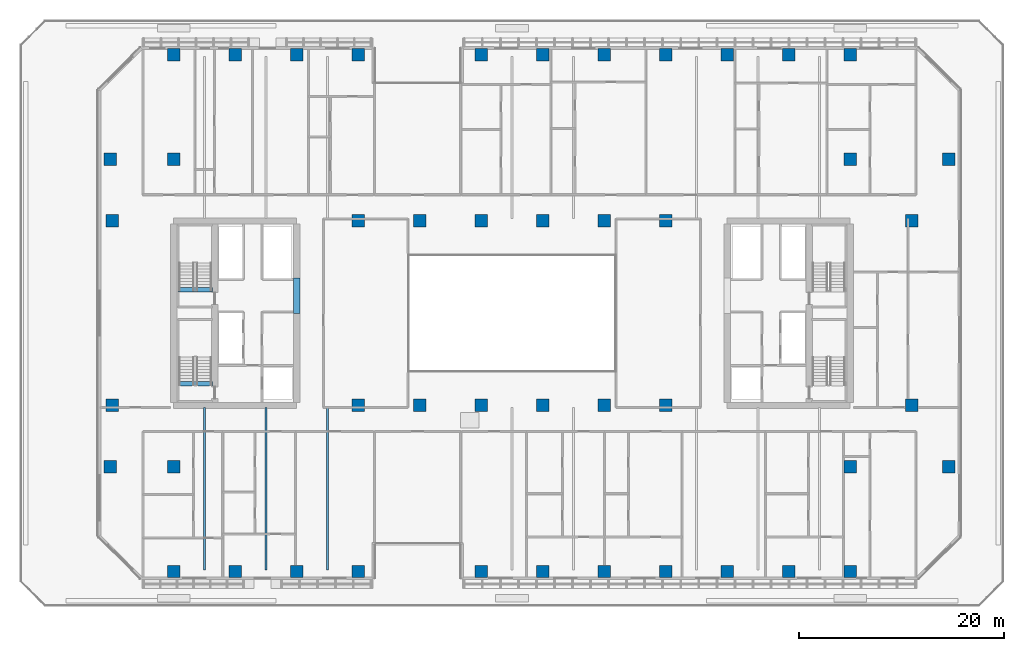
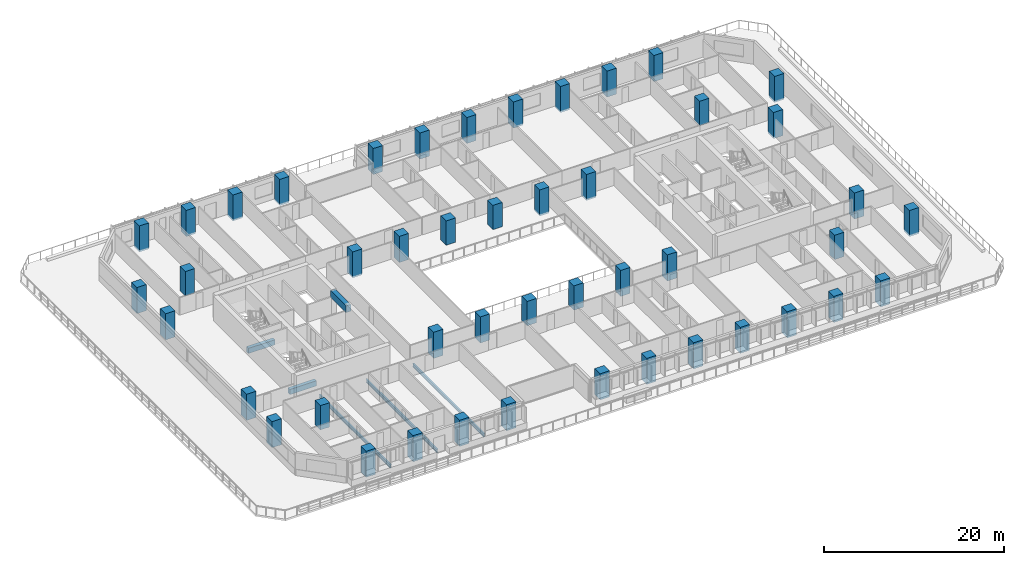
# One storey, part 1 of 23: 46 columns, 6 beams.
"""IFC4 building model written with IfcOpenShell, lengths in metres."""

import ifcopenshell
import ifcopenshell.guid

model = None  # the IFC model being written
_history = None  # IfcOwnerHistory: only IFC2X3 demands one
_inside = {}  # id of a spatial element -> (the spatial element, [elements in it])
_under = {}  # id of a project, library or spatial element -> (it, [spatial elements below it])
_declared = {}  # id of a project -> (the project, [libraries it declares])
_typed = {}  # id of a type object -> (the type object, [elements of that type])
_made_of = {}  # id of a material, layer set ... -> (it, [elements and type objects made of it])


def new_model(schema):
    """Start an empty IFC model of exactly this schema.

    Asked for "IFC4X3", IfcOpenShell would pick the latest addendum, in which some entities
    have other attributes; the version numbers below select the first issue.
    IFC2X3 requires an IfcOwnerHistory on every rooted entity: one is made here for all.
    """
    global model, _history
    if schema == "IFC4X3":
        model = ifcopenshell.file(schema_version=(4, 3, 0, 0))
    else:
        model = ifcopenshell.file(schema=schema)
    _inside.clear()
    _under.clear()
    _declared.clear()
    _typed.clear()
    _made_of.clear()
    _history = None
    if model.schema == "IFC2X3":
        org = make("IfcOrganization", Name="unknown")
        user = make(
            "IfcPersonAndOrganization",
            ThePerson=make("IfcPerson", FamilyName="unknown"),
            TheOrganization=org,
        )
        app = make(
            "IfcApplication",
            ApplicationDeveloper=org,
            Version="unknown",
            ApplicationFullName="unknown",
            ApplicationIdentifier="unknown",
        )
        _history = make(
            "IfcOwnerHistory",
            OwningUser=user,
            OwningApplication=app,
            ChangeAction="ADDED",
            CreationDate=0,
        )
    return model


def make(cls, **values):
    """One entity of the class cls with the attributes given. An attribute that is None is left unset."""
    return model.create_entity(
        cls, **{name: value for name, value in values.items() if value is not None}
    )


def rooted(cls, **values):
    """An entity with a GlobalId (a new one), such as an element, a storey or a relation."""
    return make(cls, GlobalId=ifcopenshell.guid.new(), OwnerHistory=_history, **values)


def si_unit(unit_type, name, prefix=None):
    """IfcSIUnit, for example si_unit("LENGTHUNIT", "METRE", prefix="MILLI")."""
    return make("IfcSIUnit", UnitType=unit_type, Prefix=prefix, Name=name)


def assignment(units):
    """IfcUnitAssignment: the units of a project."""
    return None if units is None else make("IfcUnitAssignment", Units=units)


def point(xyz):
    """IfcCartesianPoint."""
    return None if xyz is None else make("IfcCartesianPoint", Coordinates=xyz)


def direction(xyz):
    """IfcDirection."""
    return None if xyz is None else make("IfcDirection", DirectionRatios=xyz)


def frame(location, z_axis=None, x_axis=None):
    """IfcAxis2Placement3D, a coordinate frame: its origin and axes. An axis left out is left unset."""
    return make(
        "IfcAxis2Placement3D",
        Location=point(location),
        Axis=direction(z_axis),
        RefDirection=direction(x_axis),
    )


def frame_2d(location, x_axis=None):
    """IfcAxis2Placement2D, a coordinate frame in the plane: its origin and x axis."""
    return make(
        "IfcAxis2Placement2D", Location=point(location), RefDirection=direction(x_axis)
    )


def origin():
    """The frame at (0, 0, 0) with its axes left unset."""
    return frame((0.0, 0.0, 0.0))


def origin_2d():
    """The frame at (0, 0) in the plane with its x axis left unset."""
    return frame_2d((0.0, 0.0))


def place(relative_to, where):
    """IfcLocalPlacement: puts the frame where relative to a parent placement (None: the world)."""
    return make(
        "IfcLocalPlacement", PlacementRelTo=relative_to, RelativePlacement=where
    )


def context(
    kind, dimensions, precision=None, world=None, true_north=None, identifier=None
):
    """IfcGeometricRepresentationContext, for example the 3D "Model" context."""
    return make(
        "IfcGeometricRepresentationContext",
        ContextIdentifier=identifier,
        ContextType=kind,
        CoordinateSpaceDimension=dimensions,
        Precision=precision,
        WorldCoordinateSystem=world,
        TrueNorth=true_north,
    )


def subcontext(parent, identifier, kind, view, scale=None):
    """IfcGeometricRepresentationSubContext, for example "Body" below "Model"."""
    return make(
        "IfcGeometricRepresentationSubContext",
        ContextIdentifier=identifier,
        ContextType=kind,
        ParentContext=parent,
        TargetScale=scale,
        TargetView=view,
    )


def project(units=None, contexts=None):
    """IfcProject with its units and contexts."""
    return rooted(
        "IfcProject",
        Name="project",
        RepresentationContexts=contexts,
        UnitsInContext=assignment(units),
    )


def spatial(cls, under=None, at=None, **own):
    """A site, building, storey or space (cls), placed at a placement, below another one or the project."""
    s = rooted(cls, ObjectPlacement=at, **own)
    if under is not None:
        _under.setdefault(under.id(), (under, []))[1].append(s)
    return s


def profile(cls, at=None, kind="AREA", **sizes):
    """A parametric profile (cls). Its sizes go by their IFC names, for example OverallWidth=200.0."""
    return make(cls, ProfileType=kind, Position=at, **sizes)


def rectangle(**sizes):
    """IfcRectangleProfileDef."""
    return profile("IfcRectangleProfileDef", **sizes)


def i_section(**sizes):
    """IfcIShapeProfileDef."""
    return profile("IfcIShapeProfileDef", **sizes)


def extrude(swept, where, along, depth):
    """IfcExtrudedAreaSolid: the profile swept, set in the frame where, extruded along a direction by depth."""
    return make(
        "IfcExtrudedAreaSolid",
        SweptArea=swept,
        Position=where,
        ExtrudedDirection=direction(along),
        Depth=depth,
    )


def shape(context_of_items, identifier, shape_type, items):
    """IfcShapeRepresentation: the items that make up one representation, for example the "Body"."""
    return make(
        "IfcShapeRepresentation",
        ContextOfItems=context_of_items,
        RepresentationIdentifier=identifier,
        RepresentationType=shape_type,
        Items=items,
    )


def material(Name=None, Category=None):
    """IfcMaterial."""
    return make("IfcMaterial", Name=Name, Category=Category)


def material_profile(
    of_material, cross_section, Name=None, Category=None, Priority=None
):
    """IfcMaterialProfile: a cross section and its material."""
    return make(
        "IfcMaterialProfile",
        Name=Name,
        Material=of_material,
        Profile=cross_section,
        Priority=Priority,
        Category=Category,
    )


def profile_set(profiles, Name=None, composite=None):
    """IfcMaterialProfileSet."""
    return make(
        "IfcMaterialProfileSet",
        Name=Name,
        MaterialProfiles=profiles,
        CompositeProfile=composite,
    )


def made_of(thing, what):
    """Note that an element or type object is made of a material, layer set ...; save() writes the relation."""
    if what is not None:
        _made_of.setdefault(what.id(), (what, []))[1].append(thing)
    return thing


def type_object(cls, material=None, **own):
    """A type object (cls), such as IfcWallType, which elements share."""
    return made_of(rooted(cls, **own), material)


def element(
    cls,
    number,
    at=None,
    inside=None,
    cuts=None,
    type_object=None,
    material=None,
    context=None,
    identifier="Body",
    shape_type=None,
    held_by="IfcProductDefinitionShape",
    body=None,
    shapes=None,
    **own,
):
    """One element of the class cls, such as IfcWall. Its Tag is "e" and its number.

    at: its placement. inside: the storey or other place that contains it. cuts: it is an
    opening in that element (IfcRelVoidsElement). A single representation is given by context,
    identifier, shape_type and body (its items); several are given by shapes. held_by: the class
    of the entity that holds the representations. save() writes the other relations.
    """
    e = rooted(cls, Tag="e%d" % number, ObjectPlacement=at, **own)
    if body is not None:
        shapes = [shape(context, identifier, shape_type, body)]
    if shapes is not None:
        e.Representation = make(held_by, Representations=shapes)
    if inside is not None:
        _inside.setdefault(inside.id(), (inside, []))[1].append(e)
    if cuts is not None:
        rooted(
            "IfcRelVoidsElement", RelatingBuildingElement=cuts, RelatedOpeningElement=e
        )
    if type_object is not None:
        _typed.setdefault(type_object.id(), (type_object, []))[1].append(e)
    return made_of(e, material)


def aggregate(whole, parts):
    """IfcRelAggregates: a whole, such as a stair, and the parts it consists of."""
    return rooted("IfcRelAggregates", RelatingObject=whole, RelatedObjects=parts)


def save(model, path):
    """Write the relations noted so far, then the file.

    IfcRelAggregates (storeys below a building ...), IfcRelContainedInSpatialStructure (elements
    in a storey), IfcRelDefinesByType, IfcRelAssociatesMaterial and IfcRelDeclares: one each for
    every whole, place, type object, material and project.
    """
    for whole, parts in _under.values():
        aggregate(whole, parts)
    for where, things in _inside.values():
        rooted(
            "IfcRelContainedInSpatialStructure",
            RelatedElements=things,
            RelatingStructure=where,
        )
    for kind, things in _typed.values():
        rooted("IfcRelDefinesByType", RelatedObjects=things, RelatingType=kind)
    for what, things in _made_of.values():
        rooted("IfcRelAssociatesMaterial", RelatedObjects=things, RelatingMaterial=what)
    for by, libraries in _declared.values():
        rooted("IfcRelDeclares", RelatingContext=by, RelatedDefinitions=libraries)
    model.write(path)


model = new_model("IFC4")

# Units and contexts
model_context = context("Model", 3, precision=1e-05, world=origin(), true_north=direction((0.0, 1.0)))
body_context = subcontext(model_context, "Body", "Model", "MODEL_VIEW")
ifc_project = project(units=[si_unit("LENGTHUNIT", "METRE"), si_unit("AREAUNIT", "SQUARE_METRE"), si_unit("VOLUMEUNIT", "CUBIC_METRE"), si_unit("PLANEANGLEUNIT", "RADIAN"), si_unit("MASSUNIT", "GRAM", prefix="KILO")], contexts=[model_context])

# Site, building, storey
site_placement = place(None, origin())
site = spatial("IfcSite", under=ifc_project, at=site_placement, CompositionType="ELEMENT")
building_placement = place(site_placement, origin())
building = spatial("IfcBuilding", under=site, at=building_placement, Name="Tanjung Sevakor Pilgrim Tower", CompositionType="ELEMENT")
storey_placement = place(building_placement, frame((0.0, 0.0, 29.0400390625)))
storey = spatial("IfcBuildingStorey", under=building, at=storey_placement, Name="L07", CompositionType="ELEMENT", Elevation=29.0400390625)

# Columns
ifc_material_1 = material(Name="Concrete C60/75", Category="concrete")
ifc_material_profile_1 = material_profile(ifc_material_1, rectangle(XDim=1.199951171875, YDim=1.199951171875, at=origin_2d()))
ifc_profile_set_1 = profile_set([ifc_material_profile_1], Name="Concrete C60/75")
column_type = type_object("IfcColumnType", Name="COL-C-T1200-RC_1200x1200", PredefinedType="COLUMN", material=ifc_profile_set_1)
for number, where, z_axis, x_axis, name in (
    (1, (18.0, 24.60009765625, -0.239990234375), (0.0, 0.0, 1.0), (1.0, 0.0, 0.0), "L07 Column SPW-018-246"),
    (2, (18.0, 42.60009765625, -0.239990234375), (0.0, 0.0, 1.0), (1.0, 0.0, 0.0), "L07 Column SPW-018-426"),
    (3, (42.0, 24.60009765625, -0.239990234375), (0.0, 0.0, 1.0), (1.0, 0.0, 0.0), "L07 Column SPW-042-246"),
    (4, (42.0, 42.60009765625, -0.239990234375), (0.0, 0.0, 1.0), (1.0, 0.0, 0.0), "L07 Column SPW-042-426"),
    (5, (48.0, 24.60009765625, -0.239990234375), (0.0, 0.0, 1.0), (1.0, 0.0, 0.0), "L07 Column SPW-048-246"),
    (6, (48.0, 42.60009765625, -0.239990234375), (0.0, 0.0, 1.0), (1.0, 0.0, 0.0), "L07 Column SPW-048-426"),
):
    element("IfcColumn", number, at=place(storey_placement, frame(where, z_axis=z_axis, x_axis=x_axis)), inside=storey, type_object=column_type, Name=name, PredefinedType="COLUMN", context=body_context, shape_type="SweptSolid", body=[
        extrude(rectangle(XDim=1.199951171875, YDim=1.199951171875, at=origin_2d()), origin(), (0.0, 0.0, 1.0), 3.5400390625),
    ])
for number, where, z_axis, x_axis, name in (
    (7, (54.0, 24.60009765625, 0.0), (0.0, 0.0, 1.0), (1.0, 0.0, 0.0), "L07 Column SPE-054-246"),
    (8, (54.0, 42.60009765625, 0.0), (0.0, 0.0, 1.0), (1.0, 0.0, 0.0), "L07 Column SPE-054-426"),
    (9, (60.0, 24.60009765625, 0.0), (0.0, 0.0, 1.0), (1.0, 0.0, 0.0), "L07 Column SPE-060-246"),
    (10, (60.0, 42.60009765625, 0.0), (0.0, 0.0, 1.0), (1.0, 0.0, 0.0), "L07 Column SPE-060-426"),
):
    element("IfcColumn", number, at=place(storey_placement, frame(where, z_axis=z_axis, x_axis=x_axis)), inside=storey, type_object=column_type, Name=name, PredefinedType="COLUMN", context=body_context, shape_type="SweptSolid", body=[
        extrude(rectangle(XDim=1.199951171875, YDim=1.199951171875, at=origin_2d()), origin(), (0.0, 0.0, 1.0), 3.300048828125),
    ])
for number, where, z_axis, x_axis, name in (
    (11, (66.0, 24.60009765625, -0.239990234375), (0.0, 0.0, 1.0), (1.0, 0.0, 0.0), "L07 Column SPE-066-246"),
    (12, (66.0, 42.60009765625, -0.239990234375), (0.0, 0.0, 1.0), (1.0, 0.0, 0.0), "L07 Column SPE-066-426"),
    (13, (72.0, 24.60009765625, -0.239990234375), (0.0, 0.0, 1.0), (1.0, 0.0, 0.0), "L07 Column SPE-072-246"),
    (14, (72.0, 42.60009765625, -0.239990234375), (0.0, 0.0, 1.0), (1.0, 0.0, 0.0), "L07 Column SPE-072-426"),
    (15, (96.0, 24.60009765625, -0.239990234375), (0.0, 0.0, 1.0), (1.0, 0.0, 0.0), "L07 Column SPE-096-246"),
    (16, (96.0, 42.60009765625, -0.239990234375), (0.0, 0.0, 1.0), (1.0, 0.0, 0.0), "L07 Column SPE-096-426"),
    (17, (17.800048828125, 18.60009765625, -0.239990234375), (0.0, 0.0, 1.0), (1.0, 0.0, 0.0), "L07 Column TCE-0178-186"),
    (18, (17.800048828125, 48.60009765625, -0.239990234375), (0.0, 0.0, 1.0), (1.0, 0.0, 0.0), "L07 Column TCE-0178-486"),
):
    element("IfcColumn", number, at=place(storey_placement, frame(where, z_axis=z_axis, x_axis=x_axis)), inside=storey, type_object=column_type, Name=name, PredefinedType="COLUMN", context=body_context, shape_type="SweptSolid", body=[
        extrude(rectangle(XDim=1.199951171875, YDim=1.199951171875, at=origin_2d()), origin(), (0.0, 0.0, 1.0), 3.5400390625),
    ])
for number, where, z_axis, x_axis, name in (
    (19, (24.0, 18.60009765625, 0.0), (0.0, 0.0, 1.0), (1.0, 0.0, 0.0), "L07 Column TCE-0240-186"),
    (20, (24.0, 48.60009765625, 0.0), (0.0, 0.0, 1.0), (1.0, 0.0, 0.0), "L07 Column TCE-0240-486"),
    (21, (90.0, 18.60009765625, 0.0), (0.0, 0.0, 1.0), (1.0, 0.0, 0.0), "L07 Column TCE-0900-186"),
    (22, (90.0, 48.60009765625, 0.0), (0.0, 0.0, 1.0), (1.0, 0.0, 0.0), "L07 Column TCE-0900-486"),
):
    element("IfcColumn", number, at=place(storey_placement, frame(where, z_axis=z_axis, x_axis=x_axis)), inside=storey, type_object=column_type, Name=name, PredefinedType="COLUMN", context=body_context, shape_type="SweptSolid", body=[
        extrude(rectangle(XDim=1.199951171875, YDim=1.199951171875, at=origin_2d()), origin(), (0.0, 0.0, 1.0), 3.300048828125),
    ])
for number, where, z_axis, x_axis, name in (
    (23, (99.60009765625, 18.60009765625, -0.239990234375), (0.0, 0.0, 1.0), (1.0, 0.0, 0.0), "L07 Column TCE-0996-186"),
    (24, (99.60009765625, 48.60009765625, -0.239990234375), (0.0, 0.0, 1.0), (1.0, 0.0, 0.0), "L07 Column TCE-0996-486"),
    (25, (24.0, 8.39990234375, -0.239990234375), (0.0, 0.0, 1.0), (1.0, 0.0, 0.0), "L07 Column TC1-024-084"),
    (26, (24.0, 58.800048828125, -0.239990234375), (0.0, 0.0, 1.0), (1.0, 0.0, 0.0), "L07 Column TC1-024-588"),
    (27, (30.0, 8.39990234375, -0.239990234375), (0.0, 0.0, 1.0), (1.0, 0.0, 0.0), "L07 Column TC1-030-084"),
    (28, (30.0, 58.800048828125, -0.239990234375), (0.0, 0.0, 1.0), (1.0, 0.0, 0.0), "L07 Column TC1-030-588"),
    (29, (36.0, 8.39990234375, -0.239990234375), (0.0, 0.0, 1.0), (1.0, 0.0, 0.0), "L07 Column TC1-036-084"),
    (30, (36.0, 58.800048828125, -0.239990234375), (0.0, 0.0, 1.0), (1.0, 0.0, 0.0), "L07 Column TC1-036-588"),
    (31, (42.0, 8.39990234375, -0.239990234375), (0.0, 0.0, 1.0), (1.0, 0.0, 0.0), "L07 Column TC1-042-084"),
    (32, (42.0, 58.800048828125, -0.239990234375), (0.0, 0.0, 1.0), (1.0, 0.0, 0.0), "L07 Column TC1-042-588"),
    (33, (54.0, 8.39990234375, -0.239990234375), (0.0, 0.0, 1.0), (1.0, 0.0, 0.0), "L07 Column TC1-054-084"),
    (34, (54.0, 58.800048828125, -0.239990234375), (0.0, 0.0, 1.0), (1.0, 0.0, 0.0), "L07 Column TC1-054-588"),
    (35, (60.0, 8.39990234375, -0.239990234375), (0.0, 0.0, 1.0), (1.0, 0.0, 0.0), "L07 Column TC1-060-084"),
    (36, (60.0, 58.800048828125, -0.239990234375), (0.0, 0.0, 1.0), (1.0, 0.0, 0.0), "L07 Column TC1-060-588"),
    (37, (66.0, 8.39990234375, -0.239990234375), (0.0, 0.0, 1.0), (1.0, 0.0, 0.0), "L07 Column TC1-066-084"),
    (38, (66.0, 58.800048828125, -0.239990234375), (0.0, 0.0, 1.0), (1.0, 0.0, 0.0), "L07 Column TC1-066-588"),
    (39, (72.0, 8.39990234375, -0.239990234375), (0.0, 0.0, 1.0), (1.0, 0.0, 0.0), "L07 Column TC1-072-084"),
    (40, (72.0, 58.800048828125, -0.239990234375), (0.0, 0.0, 1.0), (1.0, 0.0, 0.0), "L07 Column TC1-072-588"),
    (41, (78.0, 8.39990234375, -0.239990234375), (0.0, 0.0, 1.0), (1.0, 0.0, 0.0), "L07 Column TC1-078-084"),
    (42, (78.0, 58.800048828125, -0.239990234375), (0.0, 0.0, 1.0), (1.0, 0.0, 0.0), "L07 Column TC1-078-588"),
    (43, (84.0, 8.39990234375, -0.239990234375), (0.0, 0.0, 1.0), (1.0, 0.0, 0.0), "L07 Column TC1-084-084"),
    (44, (84.0, 58.800048828125, -0.239990234375), (0.0, 0.0, 1.0), (1.0, 0.0, 0.0), "L07 Column TC1-084-588"),
    (45, (90.0, 8.39990234375, -0.239990234375), (0.0, 0.0, 1.0), (1.0, 0.0, 0.0), "L07 Column TC1-090-084"),
    (46, (90.0, 58.800048828125, -0.239990234375), (0.0, 0.0, 1.0), (1.0, 0.0, 0.0), "L07 Column TC1-090-588"),
):
    element("IfcColumn", number, at=place(storey_placement, frame(where, z_axis=z_axis, x_axis=x_axis)), inside=storey, type_object=column_type, Name=name, PredefinedType="COLUMN", context=body_context, shape_type="SweptSolid", body=[
        extrude(rectangle(XDim=1.199951171875, YDim=1.199951171875, at=origin_2d()), origin(), (0.0, 0.0, 1.0), 3.5400390625),
    ])

# Beams
ifc_material_2 = material(Name="Steel S355J2", Category="steel")
ifc_material_profile_2 = material_profile(ifc_material_2, i_section(OverallWidth=0.19140625, OverallDepth=0.4599609375, WebThickness=0.010009765625, FlangeThickness=0.01611328125, FilletRadius=0.01025390625, at=origin_2d()))
ifc_profile_set_2 = profile_set([ifc_material_profile_2], Name="Steel S355J2")
beam_type_1 = type_object("IfcBeamType", Name="BM-B-J2-UB_457x191x82", PredefinedType="JOIST", material=ifc_profile_set_2)
for number, where, z_axis, x_axis, name in (
    (47, (27.0, 8.551025390625, -0.469970703125), (0.0, 1.0, 0.0), (-1.0, 0.0, 0.0), "L07 Infill Joist 01.1"),
    (48, (33.0, 8.551025390625, -0.469970703125), (0.0, 1.0, 0.0), (-1.0, 0.0, 0.0), "L07 Infill Joist 02.1"),
    (49, (39.0, 8.551025390625, -0.469970703125), (0.0, 1.0, 0.0), (-1.0, 0.0, 0.0), "L07 Infill Joist 03.1"),
):
    element("IfcBeam", number, at=place(storey_placement, frame(where, z_axis=z_axis, x_axis=x_axis)), inside=storey, type_object=beam_type_1, Name=name, PredefinedType="JOIST", context=body_context, shape_type="SweptSolid", body=[
        extrude(i_section(OverallWidth=0.19140625, OverallDepth=0.4599609375, WebThickness=0.010009765625, FlangeThickness=0.01611328125, FilletRadius=0.01025390625, at=origin_2d()), origin(), (0.0, 0.0, 1.0), 15.823974609375),
    ])
ifc_material_3 = material(Name="Concrete C60/75", Category="concrete")
ifc_material_profile_3 = material_profile(ifc_material_3, rectangle(XDim=0.60009765625, YDim=0.89990234375, at=origin_2d()))
ifc_profile_set_3 = profile_set([ifc_material_profile_3], Name="Concrete C60/75")
beam_type_2 = type_object("IfcBeamType", Name="BM-B-LN1-RC-BM_600x900", PredefinedType="LINTEL", material=ifc_profile_set_3)
beam_placement = place(storey_placement, frame((36.0, 33.550048828125, 2.6298828125), z_axis=(0.0, 1.0, 0.0), x_axis=(-1.0, 0.0, 0.0)))
element("IfcBeam", 50, at=beam_placement, inside=storey, type_object=beam_type_2, Name="L07 W Core Coupling Lintel", PredefinedType="LINTEL", context=body_context, shape_type="SweptSolid", body=[
    extrude(rectangle(XDim=0.60009765625, YDim=0.89990234375, at=origin_2d()), origin(), (0.0, 0.0, 1.0), 3.5),
])
ifc_material_4 = material(Name="Concrete C60/75", Category="concrete")
ifc_material_profile_4 = material_profile(ifc_material_4, rectangle(XDim=0.449951171875, YDim=0.699951171875, at=origin_2d()))
ifc_profile_set_4 = profile_set([ifc_material_profile_4], Name="Concrete C60/75")
beam_type_3 = type_object("IfcBeamType", Name="BM-B-LN3-RC-BM_450x700", PredefinedType="LINTEL", material=ifc_profile_set_4)
for number, where, z_axis, x_axis, name in (
    (51, (24.39990234375, 26.699951171875, -0.35009765625), (1.0, 0.0, 0.0), (0.0, 1.0, 0.0), "L07 TS-W1 Stair Threshold Beam"),
    (52, (24.39990234375, 35.89990234375, -0.35009765625), (1.0, 0.0, 0.0), (0.0, 1.0, 0.0), "L07 TS-W2 Stair Threshold Beam"),
):
    element("IfcBeam", number, at=place(storey_placement, frame(where, z_axis=z_axis, x_axis=x_axis)), inside=storey, type_object=beam_type_3, Name=name, PredefinedType="LINTEL", context=body_context, shape_type="SweptSolid", body=[
        extrude(rectangle(XDim=0.449951171875, YDim=0.699951171875, at=origin_2d()), origin(), (0.0, 0.0, 1.0), 3.400146484375),
    ])

save(model, "model.ifc")
